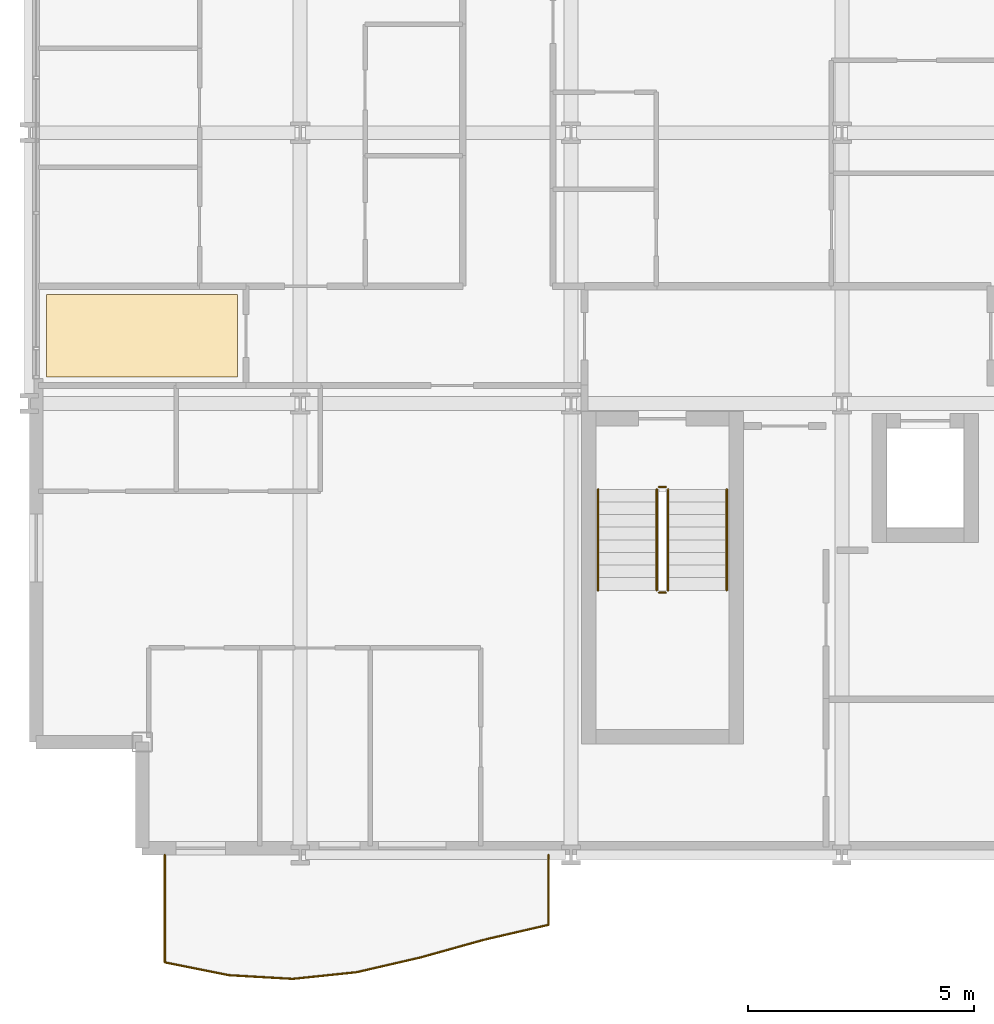
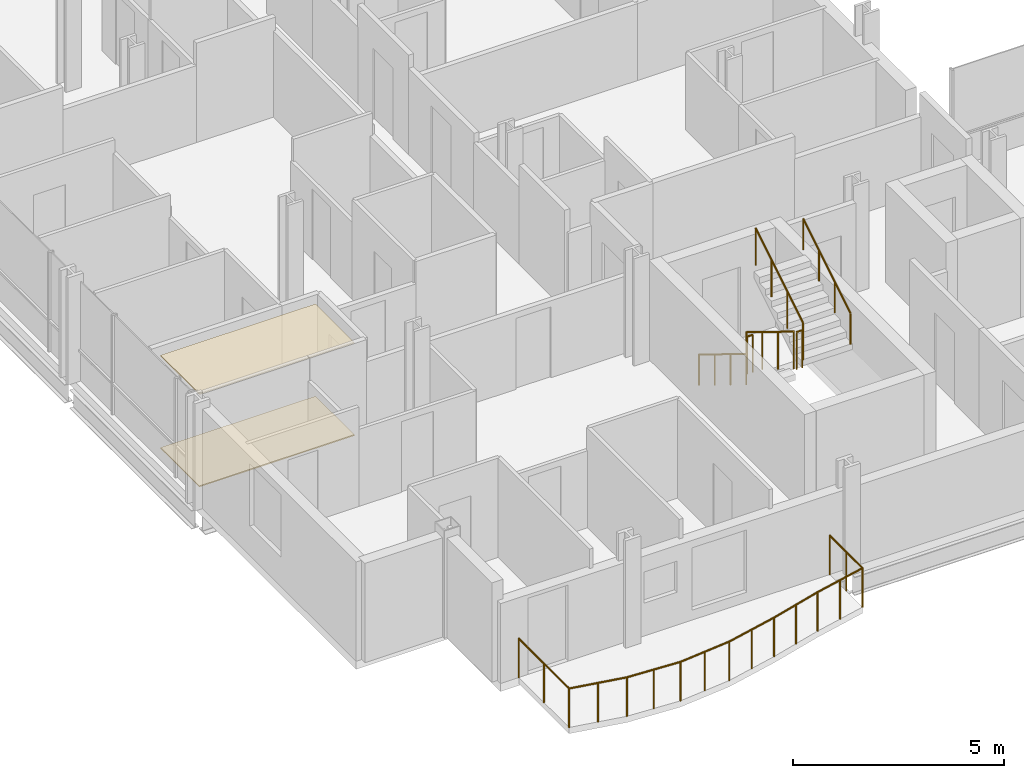
# One storey, part 38 of 41: 7 railings, 2 coverings.
"""IFC4 building model written with IfcOpenShell, lengths in metres."""

from ifc_helpers import new_model, si_unit, direction, frame, origin, origin_2d, place, context, subcontext, project, spatial, polyline, circle, outline, extrude, material, layer, layer_set, type_object, element, save


model = new_model("IFC4")

# Units and contexts
model_context = context("Model", 3, precision=1e-05, world=origin(), true_north=direction((0.0, 1.0)))
body_context = subcontext(model_context, "Body", "Model", "MODEL_VIEW")
ifc_project = project(units=[si_unit("LENGTHUNIT", "METRE"), si_unit("AREAUNIT", "SQUARE_METRE"), si_unit("VOLUMEUNIT", "CUBIC_METRE"), si_unit("PLANEANGLEUNIT", "RADIAN"), si_unit("MASSUNIT", "GRAM", prefix="KILO")], contexts=[model_context])

# Site, building, storey
site_placement = place(None, origin())
site = spatial("IfcSite", under=ifc_project, at=site_placement, CompositionType="ELEMENT")
building_placement = place(site_placement, origin())
building = spatial("IfcBuilding", under=site, at=building_placement, Name="Brevholm Reach", CompositionType="ELEMENT")
storey_placement = place(building_placement, frame((0.0, 0.0, 43.5)))
storey = spatial("IfcBuildingStorey", under=building, at=storey_placement, Name="L11", CompositionType="ELEMENT", Elevation=43.5)

# Coverings
ifc_material_1 = material(Name="Moisture-Resistant Skimmed Gypsum Plasterboard Ceiling", Category="gypsum")
ifc_layer_1 = layer(ifc_material_1, 0.030029296875)
ifc_layer_set_1 = layer_set([ifc_layer_1], Name="Moisture-Resistant Skimmed Gypsum Plasterboard Ceiling")
covering_type_1 = type_object("IfcCoveringType", Name="COV-CLG-GYP", PredefinedType="CEILING", material=ifc_layer_set_1)
covering_1_placement = place(storey_placement, frame((0.0, 0.0, 2.669921875)))
element("IfcCovering", 1, at=covering_1_placement, inside=storey, type_object=covering_type_1, Name="L11 Suspended Ceiling L11-34", PredefinedType="CEILING", context=body_context, shape_type="SweptSolid", body=[
    extrude(outline(polyline([(0.3798828125, 12.419921875), (4.615966796875, 12.419921875), (4.615966796875, 10.583984375), (0.3798828125, 10.583984375), (0.3798828125, 12.419921875)])), origin(), (0.0, 0.0, 1.0), 0.030029296875),
])
ifc_material_2 = material(Name="Honed Portland-Aggregate Resin Terrazzo Flooring", Category="concrete")
ifc_layer_2 = layer(ifc_material_2, 0.031982421875)
ifc_layer_set_2 = layer_set([ifc_layer_2], Name="Honed Portland-Aggregate Resin Terrazzo Flooring")
covering_type_2 = type_object("IfcCoveringType", Name="COV-FLR-TRZ", PredefinedType="FLOORING", material=ifc_layer_set_2)
covering_2_placement = place(storey_placement, origin())
element("IfcCovering", 2, at=covering_2_placement, inside=storey, type_object=covering_type_2, Name="L11 Floor Finish L11-34", PredefinedType="FLOORING", context=body_context, shape_type="SweptSolid", body=[
    extrude(outline(polyline([(0.3798828125, 12.419921875), (4.615966796875, 12.419921875), (4.615966796875, 10.583984375), (0.3798828125, 10.583984375), (0.3798828125, 12.419921875)])), origin(), (0.0, 0.0, 1.0), 0.031982421875),
])

# Railings
ifc_material_3 = material(Name="Brushed Stainless Steel EN 1.4401 and Laminated Glass", Category="steel")
railing_type_1 = type_object("IfcRailingType", Name="RAL-BALC-1150", PredefinedType="BALUSTRADE", material=ifc_material_3)
railing_1_placement = place(storey_placement, frame((3.0, 0.0, 0.0)))
element("IfcRailing", 3, at=railing_1_placement, inside=storey, type_object=railing_type_1, Name="L11 Guard Balustrade RAL-L11-BAL-SW", PredefinedType="BALUSTRADE", context=body_context, shape_type="SweptSolid", body=[
    extrude(circle(Radius=0.02392578125, at=origin_2d()), frame((0.0, 0.0, 1.1259765625), z_axis=(0.0, -1.0, 0.0), x_axis=(1.0, 0.0, 0.0)), (0.0, 0.0, 1.0), 2.38134765625),
    extrude(circle(Radius=0.02392578125, at=origin_2d()), frame((0.0, -2.38134765625, 1.1259765625), z_axis=(0.980502614423, -0.196506038355, 0.0), x_axis=(0.196506038355, 0.980502614423, 0.0)), (0.0, 0.0, 1.0), 1.44482421875),
    extrude(circle(Radius=0.02392578125, at=origin_2d()), frame((1.416748046875, -2.665283203125, 1.1259765625), z_axis=(0.998327360231, -0.057814200799, 0.0), x_axis=(0.057814200799, 0.998327360231, 0.0)), (0.0, 0.0, 1.0), 1.4189453125),
    extrude(circle(Radius=0.02392578125, at=origin_2d()), frame((2.833251953125, -2.747314453125, 1.1259765625), z_axis=(0.994609205974, 0.103694394212, 0.0), x_axis=(-0.103694394212, 0.994609205974, 0.0)), (0.0, 0.0, 1.0), 1.42431640625),
    extrude(circle(Radius=0.02392578125, at=origin_2d()), frame((4.25, -2.599609375, 1.1259765625), z_axis=(0.974360057668, 0.224994395533, 0.0), x_axis=(-0.224994395533, 0.974360057668, 0.0)), (0.0, 0.0, 1.0), 1.4541015625),
    extrude(circle(Radius=0.02392578125, at=origin_2d()), frame((5.666748046875, -2.2724609375, 1.1259765625), z_axis=(0.963289212232, 0.268465814578, 0.0), x_axis=(-0.268465814578, 0.963289212232, 0.0)), (0.0, 0.0, 1.0), 1.470458984375),
    extrude(circle(Radius=0.02392578125, at=origin_2d()), frame((7.083251953125, -1.877685546875, 1.1259765625), z_axis=(0.974323236677, 0.225153792932, 0.0), x_axis=(-0.225153792932, 0.974323236677, 0.0)), (0.0, 0.0, 1.0), 1.4541015625),
    extrude(circle(Radius=0.02392578125, at=origin_2d()), frame((8.5, -1.55029296875, 1.1259765625), z_axis=(0.0, 1.0, 0.0), x_axis=(-1.0, 0.0, 0.0)), (0.0, 0.0, 1.0), 1.55029296875),
    extrude(circle(Radius=0.02099609375, at=origin_2d()), origin(), (0.0, 0.0, 1.0), 1.101806640625),
    extrude(circle(Radius=0.02099609375, at=origin_2d()), frame((0.0, -1.190673828125, 0.0)), (0.0, 0.0, 1.0), 1.101806640625),
    extrude(circle(Radius=0.02099609375, at=origin_2d()), frame((0.0, -2.38134765625, 0.0)), (0.0, 0.0, 1.0), 1.101806640625),
    extrude(circle(Radius=0.02099609375, at=origin_2d()), frame((0.70849609375, -2.5234375, 0.0)), (0.0, 0.0, 1.0), 1.101806640625),
    extrude(circle(Radius=0.02099609375, at=origin_2d()), frame((1.416748046875, -2.665283203125, 0.0)), (0.0, 0.0, 1.0), 1.101806640625),
    extrude(circle(Radius=0.02099609375, at=origin_2d()), frame((2.125, -2.706298828125, 0.0)), (0.0, 0.0, 1.0), 1.101806640625),
    extrude(circle(Radius=0.02099609375, at=origin_2d()), frame((2.833251953125, -2.747314453125, 0.0)), (0.0, 0.0, 1.0), 1.101806640625),
    extrude(circle(Radius=0.02099609375, at=origin_2d()), frame((3.54150390625, -2.67333984375, 0.0)), (0.0, 0.0, 1.0), 1.101806640625),
    extrude(circle(Radius=0.02099609375, at=origin_2d()), frame((4.25, -2.599609375, 0.0)), (0.0, 0.0, 1.0), 1.101806640625),
    extrude(circle(Radius=0.02099609375, at=origin_2d()), frame((4.95849609375, -2.43603515625, 0.0)), (0.0, 0.0, 1.0), 1.101806640625),
    extrude(circle(Radius=0.02099609375, at=origin_2d()), frame((5.666748046875, -2.2724609375, 0.0)), (0.0, 0.0, 1.0), 1.101806640625),
    extrude(circle(Radius=0.02099609375, at=origin_2d()), frame((6.375, -2.0751953125, 0.0)), (0.0, 0.0, 1.0), 1.101806640625),
    extrude(circle(Radius=0.02099609375, at=origin_2d()), frame((7.083251953125, -1.877685546875, 0.0)), (0.0, 0.0, 1.0), 1.101806640625),
    extrude(circle(Radius=0.02099609375, at=origin_2d()), frame((7.79150390625, -1.7138671875, 0.0)), (0.0, 0.0, 1.0), 1.101806640625),
    extrude(circle(Radius=0.02099609375, at=origin_2d()), frame((8.5, -1.55029296875, 0.0)), (0.0, 0.0, 1.0), 1.101806640625),
    extrude(circle(Radius=0.02099609375, at=origin_2d()), frame((8.5, -0.775146484375, 0.0)), (0.0, 0.0, 1.0), 1.101806640625),
    extrude(circle(Radius=0.02099609375, at=origin_2d()), frame((8.5, 0.0, 0.0)), (0.0, 0.0, 1.0), 1.101806640625),
])
ifc_material_4 = material(Name="Brushed Stainless Steel EN 1.4401 Continuous Handrail", Category="steel")
railing_type_2 = type_object("IfcRailingType", Name="RAL-HND-950", PredefinedType="HANDRAIL", material=ifc_material_4)
railing_2_placement = place(storey_placement, frame((12.60009765625, 8.10009765625, 0.172119140625)))
element("IfcRailing", 4, at=railing_2_placement, inside=storey, type_object=railing_type_2, Name="L11 ST-1 stair handrail 1", PredefinedType="HANDRAIL", context=body_context, shape_type="SweptSolid", body=[
    extrude(circle(Radius=0.02392578125, at=origin_2d()), frame((0.0, 0.0, 0.8857421875), z_axis=(0.0, -0.851747552033, 0.523952390591), x_axis=(1.0, 0.0, 0.0)), (0.0, 0.0, 1.0), 2.6298828125),
    extrude(circle(Radius=0.02099609375, at=origin_2d()), origin(), (0.0, 0.0, 1.0), 0.86181640625),
    extrude(circle(Radius=0.02099609375, at=origin_2d()), frame((0.0, -0.74658203125, 0.459228515625)), (0.0, 0.0, 1.0), 0.86181640625),
    extrude(circle(Radius=0.02099609375, at=origin_2d()), frame((0.0, -1.493408203125, 0.918701171875)), (0.0, 0.0, 1.0), 0.86181640625),
    extrude(circle(Radius=0.02099609375, at=origin_2d()), frame((0.0, -2.239990234375, 1.3779296875)), (0.0, 0.0, 1.0), 0.86181640625),
])
railing_3_placement = place(storey_placement, frame((15.449951171875, 5.860107421875, 1.72216796875)))
element("IfcRailing", 5, at=railing_3_placement, inside=storey, type_object=railing_type_2, Name="L11 ST-1 stair handrail 2", PredefinedType="HANDRAIL", context=body_context, shape_type="SweptSolid", body=[
    extrude(circle(Radius=0.02392578125, at=origin_2d()), frame((0.0, 0.0, 0.8857421875), z_axis=(0.0, 0.851747552033, 0.523952390591), x_axis=(-1.0, 0.0, 0.0)), (0.0, 0.0, 1.0), 2.6298828125),
    extrude(circle(Radius=0.02099609375, at=origin_2d()), origin(), (0.0, 0.0, 1.0), 0.86181640625),
    extrude(circle(Radius=0.02099609375, at=origin_2d()), frame((0.0, 0.74658203125, 0.459228515625)), (0.0, 0.0, 1.0), 0.86181640625),
    extrude(circle(Radius=0.02099609375, at=origin_2d()), frame((0.0, 1.493408203125, 0.918701171875)), (0.0, 0.0, 1.0), 0.86181640625),
    extrude(circle(Radius=0.02099609375, at=origin_2d()), frame((0.0, 2.239990234375, 1.3779296875)), (0.0, 0.0, 1.0), 0.86181640625),
])
ifc_material_5 = material(Name="Painted Tubular Galvanised Steel S275JR Stair Guard", Category="steel")
railing_type_3 = type_object("IfcRailingType", Name="RAL-STG-1120", PredefinedType="BALUSTRADE", material=ifc_material_5)
railing_4_placement = place(storey_placement, frame((13.89990234375, 8.10009765625, 0.172119140625)))
element("IfcRailing", 6, at=railing_4_placement, inside=storey, type_object=railing_type_3, Name="L11 ST-1 stair guard 1", PredefinedType="BALUSTRADE", context=body_context, shape_type="SweptSolid", body=[
    extrude(circle(Radius=0.02392578125, at=origin_2d()), frame((0.0, 0.0, 1.076171875), z_axis=(0.0, -0.851747552033, 0.523952390591), x_axis=(1.0, 0.0, 0.0)), (0.0, 0.0, 1.0), 2.6298828125),
    extrude(circle(Radius=0.02099609375, at=origin_2d()), origin(), (0.0, 0.0, 1.0), 1.052001953125),
    extrude(circle(Radius=0.02099609375, at=origin_2d()), frame((0.0, -0.74658203125, 0.459228515625)), (0.0, 0.0, 1.0), 1.052001953125),
    extrude(circle(Radius=0.02099609375, at=origin_2d()), frame((0.0, -1.493408203125, 0.918701171875)), (0.0, 0.0, 1.0), 1.052001953125),
    extrude(circle(Radius=0.02099609375, at=origin_2d()), frame((0.0, -2.239990234375, 1.3779296875)), (0.0, 0.0, 1.0), 1.052001953125),
])
railing_5_placement = place(storey_placement, frame((13.949951171875, 5.81005859375, 1.550048828125)))
element("IfcRailing", 7, at=railing_5_placement, inside=storey, type_object=railing_type_3, Name="L11 ST-1 stair guard 2", PredefinedType="BALUSTRADE", context=body_context, shape_type="SweptSolid", body=[
    extrude(circle(Radius=0.02392578125, at=origin_2d()), frame((0.0, 0.0, 1.076171875), z_axis=(1.0, 0.0, 0.0), x_axis=(0.0, 1.0, 0.0)), (0.0, 0.0, 1.0), 0.150146484375),
    extrude(circle(Radius=0.02099609375, at=origin_2d()), origin(), (0.0, 0.0, 1.0), 1.052001953125),
    extrude(circle(Radius=0.02099609375, at=origin_2d()), frame((0.150146484375, 0.0, 0.0)), (0.0, 0.0, 1.0), 1.052001953125),
])
railing_6_placement = place(storey_placement, frame((14.14990234375, 5.860107421875, 1.72216796875)))
element("IfcRailing", 8, at=railing_6_placement, inside=storey, type_object=railing_type_3, Name="L11 ST-1 stair guard 3", PredefinedType="BALUSTRADE", context=body_context, shape_type="SweptSolid", body=[
    extrude(circle(Radius=0.02392578125, at=origin_2d()), frame((0.0, 0.0, 1.076171875), z_axis=(0.0, 0.851747552033, 0.523952390591), x_axis=(-1.0, 0.0, 0.0)), (0.0, 0.0, 1.0), 2.6298828125),
    extrude(circle(Radius=0.02099609375, at=origin_2d()), origin(), (0.0, 0.0, 1.0), 1.052001953125),
    extrude(circle(Radius=0.02099609375, at=origin_2d()), frame((0.0, 0.74658203125, 0.459228515625)), (0.0, 0.0, 1.0), 1.052001953125),
    extrude(circle(Radius=0.02099609375, at=origin_2d()), frame((0.0, 1.493408203125, 0.918701171875)), (0.0, 0.0, 1.0), 1.052001953125),
    extrude(circle(Radius=0.02099609375, at=origin_2d()), frame((0.0, 2.239990234375, 1.3779296875)), (0.0, 0.0, 1.0), 1.052001953125),
])
railing_7_placement = place(storey_placement, frame((13.949951171875, 8.14990234375, 0.0)))
element("IfcRailing", 9, at=railing_7_placement, inside=storey, type_object=railing_type_3, Name="L11 ST-1 stair guard 4", PredefinedType="BALUSTRADE", context=body_context, shape_type="SweptSolid", body=[
    extrude(circle(Radius=0.02392578125, at=origin_2d()), frame((0.0, 0.0, 1.076171875), z_axis=(1.0, 0.0, 0.0), x_axis=(0.0, 1.0, 0.0)), (0.0, 0.0, 1.0), 0.150146484375),
    extrude(circle(Radius=0.02099609375, at=origin_2d()), origin(), (0.0, 0.0, 1.0), 1.052001953125),
    extrude(circle(Radius=0.02099609375, at=origin_2d()), frame((0.150146484375, 0.0, 0.0)), (0.0, 0.0, 1.0), 1.052001953125),
])

save(model, "model.ifc")
